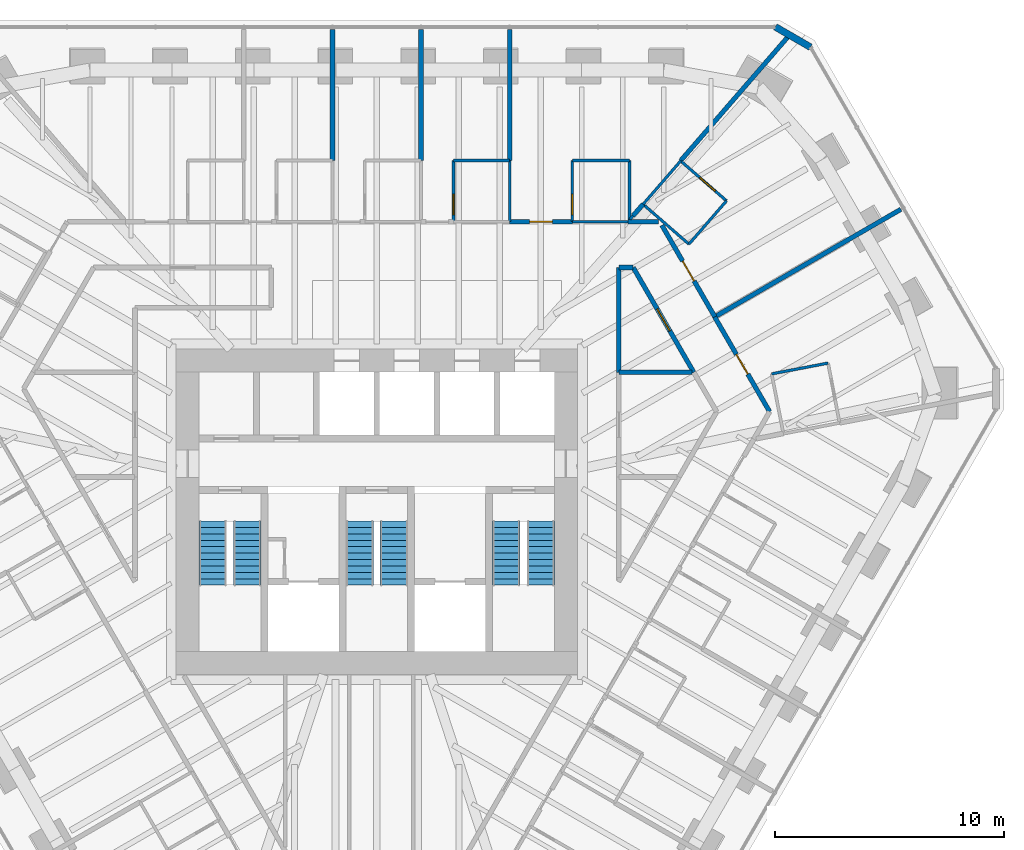
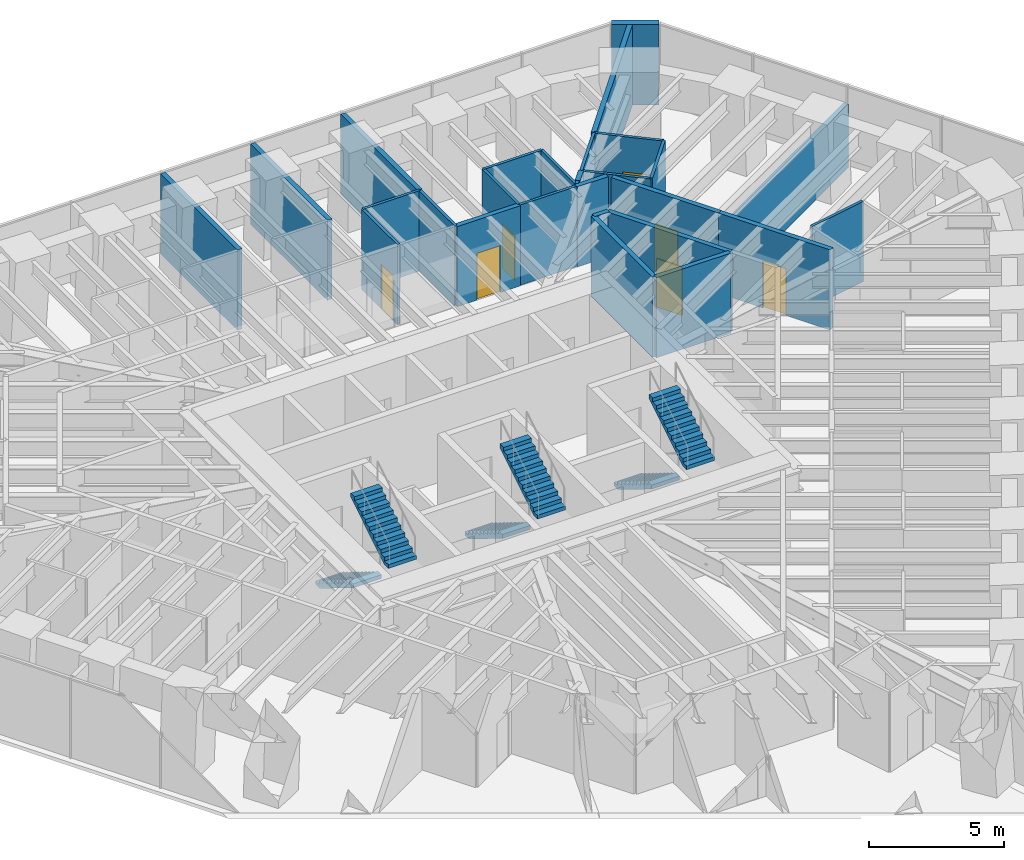
# One storey, part 16 of 17: 28 walls, 7 doors, 6 stair flights, 7 openings, 3 elements without a shape of their own.
"""IFC4 building model written with IfcOpenShell, lengths in metres."""

from ifc_helpers import new_model, si_unit, direction, frame, frame_2d, origin, place, context, subcontext, project, spatial, polyline, rectangle, outline, extrude, material, layer, layer_set, type_object, element, fill, aggregate, save


model = new_model("IFC4")

# Units and contexts
model_context = context("Model", 3, precision=1e-05, world=origin(), true_north=direction((0.0, 1.0)))
body_context = subcontext(model_context, "Body", "Model", "MODEL_VIEW")
ifc_project = project(units=[si_unit("LENGTHUNIT", "METRE"), si_unit("AREAUNIT", "SQUARE_METRE"), si_unit("VOLUMEUNIT", "CUBIC_METRE"), si_unit("PLANEANGLEUNIT", "RADIAN"), si_unit("MASSUNIT", "GRAM", prefix="KILO")], contexts=[model_context])

# Site, building, storey
site_placement = place(None, origin())
site = spatial("IfcSite", under=ifc_project, at=site_placement, CompositionType="ELEMENT")
building_placement = place(site_placement, origin())
building = spatial("IfcBuilding", under=site, at=building_placement, Name="Sandreach Pilgrim Tower", CompositionType="ELEMENT")
storey_placement = place(building_placement, frame((0.0, 0.0, 240.199951171875)))
storey = spatial("IfcBuildingStorey", under=building, at=storey_placement, Name="L60", CompositionType="ELEMENT", Elevation=240.199951171875)

# Wall, opening, door
ifc_material_1 = material(Name="Moisture-resistant gypsum board on steel studs", Category="steel")
ifc_layer_1 = layer(ifc_material_1, 0.1201171875)
ifc_layer_set_1 = layer_set([ifc_layer_1], Name="Bathroom partition 120")
wall_type_1 = type_object("IfcWallType", Name="Bathroom partition 120", PredefinedType="PARTITIONING", material=ifc_layer_set_1)
wall_1_placement = place(storey_placement, frame((3.35009765625, 15.330078125, 0.0), z_axis=(0.0, 0.0, 1.0), x_axis=(0.0, -1.0, 0.0)))
wall_1 = element("IfcWall", 1, at=wall_1_placement, inside=storey, type_object=wall_type_1, Name="Bathroom partition L60-085", PredefinedType="PARTITIONING", context=body_context, shape_type="SweptSolid", body=[
    extrude(rectangle(XDim=2.670166015625, YDim=0.1201171875, at=frame_2d((1.3349609375, 0.0))), origin(), (0.0, 0.0, 1.0), 3.64013671875),
])
opening_1_placement = place(wall_1_placement, frame((1.469970703125, 0.0, 0.0)))
opening_1 = element("IfcOpeningElement", 2, at=opening_1_placement, cuts=wall_1, Name="Opening D09-04B", PredefinedType="OPENING", context=body_context, shape_type="SweptSolid", body=[
    extrude(rectangle(XDim=0.89990234375, YDim=2.030029296875, at=frame_2d((0.449951171875, 1.01513671875))), frame((0.0, 0.06005859375, 0.0), z_axis=(0.0, -1.0, 0.0), x_axis=(1.0, 0.0, 0.0)), (0.0, 0.0, 1.0), 0.1201171875),
])
ifc_material_2 = material(Name="Timber door, steel frame", Category="steel")
door_type_1 = type_object("IfcDoorType", Name="Bathroom door", OperationType="SINGLE_SWING_LEFT", PredefinedType="DOOR", material=ifc_material_2)
door_1_placement = place(opening_1_placement, origin())
door_1 = element("IfcDoor", 3, at=door_1_placement, inside=storey, type_object=door_type_1, Name="Door 6004B", OperationType="SINGLE_SWING_RIGHT", OverallHeight=2.030029296875, OverallWidth=0.89990234375, PredefinedType="DOOR", context=body_context, shape_type="SweptSolid", body=[
    extrude(rectangle(XDim=0.89990234375, YDim=2.030029296875, at=frame_2d((0.449951171875, 1.01513671875))), frame((0.0, 0.02490234375, 0.0), z_axis=(0.0, -1.0, 0.0), x_axis=(1.0, 0.0, 0.0)), (0.0, 0.0, 1.0), 0.050048828125),
])
fill(opening_1, door_1)

# Walls
wall_2_placement = place(storey_placement, frame((5.800048828125, 15.330078125, 0.0), z_axis=(0.0, 0.0, 1.0), x_axis=(-1.0, 0.0, 0.0)))
element("IfcWall", 4, at=wall_2_placement, inside=storey, type_object=wall_type_1, Name="Bathroom partition L60-093", PredefinedType="PARTITIONING", context=body_context, shape_type="SweptSolid", body=[
    extrude(rectangle(XDim=2.449951171875, YDim=0.1201171875, at=frame_2d((1.22509765625, 0.0))), origin(), (0.0, 0.0, 1.0), 3.64013671875),
])
wall_3_placement = place(storey_placement, frame((5.800048828125, 15.330078125, 0.0), z_axis=(0.0, 0.0, 1.0), x_axis=(0.0, -1.0, 0.0)))
element("IfcWall", 5, at=wall_3_placement, inside=storey, type_object=wall_type_1, Name="Bathroom partition L60-094", PredefinedType="PARTITIONING", context=body_context, shape_type="SweptSolid", body=[
    extrude(rectangle(XDim=2.670166015625, YDim=0.1201171875, at=frame_2d((1.3349609375, 0.0))), origin(), (0.0, 0.0, 1.0), 3.64013671875),
])

# Wall, opening, door
wall_4_placement = place(storey_placement, frame((8.530029296875, 15.330078125, 0.0), z_axis=(0.0, 0.0, 1.0), x_axis=(0.0, -1.0, 0.0)))
wall_4 = element("IfcWall", 6, at=wall_4_placement, inside=storey, type_object=wall_type_1, Name="Bathroom partition L60-105", PredefinedType="PARTITIONING", context=body_context, shape_type="SweptSolid", body=[
    extrude(rectangle(XDim=2.670166015625, YDim=0.1201171875, at=frame_2d((1.3349609375, 0.0))), origin(), (0.0, 0.0, 1.0), 3.64013671875),
])
opening_2_placement = place(wall_4_placement, frame((1.469970703125, 0.0, 0.0)))
opening_2 = element("IfcOpeningElement", 7, at=opening_2_placement, cuts=wall_4, Name="Opening D09-05B", PredefinedType="OPENING", context=body_context, shape_type="SweptSolid", body=[
    extrude(rectangle(XDim=0.89990234375, YDim=2.030029296875, at=frame_2d((0.449951171875, 1.01513671875))), frame((0.0, 0.06005859375, 0.0), z_axis=(0.0, -1.0, 0.0), x_axis=(1.0, 0.0, 0.0)), (0.0, 0.0, 1.0), 0.1201171875),
])
door_2_placement = place(opening_2_placement, origin())
door_2 = element("IfcDoor", 8, at=door_2_placement, inside=storey, type_object=door_type_1, Name="Door 6005B", OperationType="SINGLE_SWING_RIGHT", OverallHeight=2.030029296875, OverallWidth=0.89990234375, PredefinedType="DOOR", context=body_context, shape_type="SweptSolid", body=[
    extrude(rectangle(XDim=0.89990234375, YDim=2.030029296875, at=frame_2d((0.449951171875, 1.01513671875))), frame((0.0, 0.02490234375, 0.0), z_axis=(0.0, -1.0, 0.0), x_axis=(1.0, 0.0, 0.0)), (0.0, 0.0, 1.0), 0.050048828125),
])
fill(opening_2, door_2)

# Walls
wall_5_placement = place(storey_placement, frame((10.9599609375, 12.659912109375, 0.0), z_axis=(0.0, 0.0, 1.0), x_axis=(-1.0, 0.0, 0.0)))
element("IfcWall", 9, at=wall_5_placement, inside=storey, type_object=wall_type_1, Name="Bathroom partition L60-117", PredefinedType="PARTITIONING", context=body_context, shape_type="SweptSolid", body=[
    extrude(rectangle(XDim=2.429931640625, YDim=0.1201171875, at=frame_2d((1.21484375, 0.0))), origin(), (0.0, 0.0, 1.0), 3.64013671875),
])
wall_6_placement = place(storey_placement, frame((11.030029296875, 12.739990234375, 0.0), z_axis=(0.0, 0.0, 1.0), x_axis=(0.0, 1.0, 0.0)))
element("IfcWall", 10, at=wall_6_placement, inside=storey, type_object=wall_type_1, Name="Bathroom partition L60-118", PredefinedType="PARTITIONING", context=body_context, shape_type="SweptSolid", body=[
    extrude(rectangle(XDim=2.590087890625, YDim=0.1201171875, at=frame_2d((1.294921875, 0.0))), origin(), (0.0, 0.0, 1.0), 3.64013671875),
])
wall_7_placement = place(storey_placement, frame((11.030029296875, 15.330078125, 0.0), z_axis=(0.0, 0.0, 1.0), x_axis=(-1.0, 0.0, 0.0)))
element("IfcWall", 11, at=wall_7_placement, inside=storey, type_object=wall_type_1, Name="Bathroom partition L60-119", PredefinedType="PARTITIONING", context=body_context, shape_type="SweptSolid", body=[
    extrude(rectangle(XDim=2.5, YDim=0.1201171875, at=frame_2d((1.25, 0.0))), origin(), (0.0, 0.0, 1.0), 3.64013671875),
])
wall_8_placement = place(storey_placement, frame((11.04931640625, 12.762939453125, 0.0), z_axis=(0.0, 0.0, 1.0), x_axis=(0.639596257895, 0.768711016499, 0.0)))
element("IfcWall", 12, at=wall_8_placement, inside=storey, type_object=wall_type_1, Name="Bathroom partition L60-120", PredefinedType="PARTITIONING", context=body_context, shape_type="SweptSolid", body=[
    extrude(rectangle(XDim=0.2041015625, YDim=0.1201171875, at=frame_2d((0.10205078125, 0.0))), origin(), (0.0, 0.0, 1.0), 3.64013671875),
])
wall_9_placement = place(storey_placement, frame((11.6201171875, 13.419921875, 0.0), z_axis=(0.0, 0.0, 1.0), x_axis=(0.655335308977, 0.755338091723, 0.0)))
element("IfcWall", 13, at=wall_9_placement, inside=storey, type_object=wall_type_1, Name="Bathroom partition L60-126", PredefinedType="PARTITIONING", context=body_context, shape_type="SweptSolid", body=[
    extrude(rectangle(XDim=2.50244140625, YDim=0.1201171875, at=frame_2d((1.251220703125, 0.0))), origin(), (0.0, 0.0, 1.0), 3.64013671875),
])
wall_10_placement = place(storey_placement, frame((11.6201171875, 13.419921875, 0.0), z_axis=(0.0, 0.0, 1.0), x_axis=(0.754444902764, -0.656363381591, 0.0)))
element("IfcWall", 14, at=wall_10_placement, inside=storey, type_object=wall_type_1, Name="Bathroom partition L60-127", PredefinedType="PARTITIONING", context=body_context, shape_type="SweptSolid", body=[
    extrude(rectangle(XDim=2.65087890625, YDim=0.1201171875, at=frame_2d((1.325439453125, 0.0))), origin(), (0.0, 0.0, 1.0), 3.64013671875),
])
wall_11_placement = place(storey_placement, frame((13.6201171875, 11.679931640625, 0.0), z_axis=(0.0, 0.0, 1.0), x_axis=(0.655335308977, 0.755338091723, 0.0)))
element("IfcWall", 15, at=wall_11_placement, inside=storey, type_object=wall_type_1, Name="Bathroom partition L60-137", PredefinedType="PARTITIONING", context=body_context, shape_type="SweptSolid", body=[
    extrude(rectangle(XDim=2.50244140625, YDim=0.1201171875, at=frame_2d((1.251220703125, 0.0))), origin(), (0.0, 0.0, 1.0), 3.64013671875),
])

# Wall, opening, door
wall_12_placement = place(storey_placement, frame((15.260009765625, 13.570068359375, 0.0), z_axis=(0.0, 0.0, 1.0), x_axis=(-0.754444902764, 0.656363381591, 0.0)))
wall_12 = element("IfcWall", 16, at=wall_12_placement, inside=storey, type_object=wall_type_1, Name="Bathroom partition L60-145", PredefinedType="PARTITIONING", context=body_context, shape_type="SweptSolid", body=[
    extrude(rectangle(XDim=2.65087890625, YDim=0.1201171875, at=frame_2d((1.325439453125, 0.0))), origin(), (0.0, 0.0, 1.0), 3.64013671875),
])
opening_3_placement = place(wall_12_placement, frame((0.64990234375, 0.0, 0.0)))
opening_3 = element("IfcOpeningElement", 17, at=opening_3_placement, cuts=wall_12, Name="Opening D09-06B", PredefinedType="OPENING", context=body_context, shape_type="SweptSolid", body=[
    extrude(rectangle(XDim=0.89990234375, YDim=2.030029296875, at=frame_2d((0.449951171875, 1.01513671875))), frame((0.0, 0.06005859375, 0.0), z_axis=(0.0, -1.0, 0.0), x_axis=(1.0, 0.0, 0.0)), (0.0, 0.0, 1.0), 0.1201171875),
])
door_3_placement = place(opening_3_placement, origin())
door_3 = element("IfcDoor", 18, at=door_3_placement, inside=storey, type_object=door_type_1, Name="Door 6006B", OperationType="SINGLE_SWING_LEFT", OverallHeight=2.030029296875, OverallWidth=0.89990234375, PredefinedType="DOOR", context=body_context, shape_type="SweptSolid", body=[
    extrude(rectangle(XDim=0.89990234375, YDim=2.030029296875, at=frame_2d((0.449951171875, 1.01513671875))), frame((0.0, 0.02490234375, 0.0), z_axis=(0.0, -1.0, 0.0), x_axis=(1.0, 0.0, 0.0)), (0.0, 0.0, 1.0), 0.050048828125),
])
fill(opening_3, door_3)

# Wall
wall_13_placement = place(storey_placement, frame((19.68994140625, 6.489990234375, 0.0), z_axis=(0.0, 0.0, 1.0), x_axis=(-0.98223517487, -0.187654100002, 0.0)))
element("IfcWall", 19, at=wall_13_placement, inside=storey, type_object=wall_type_1, Name="Bathroom partition L60-157", PredefinedType="PARTITIONING", context=body_context, shape_type="SweptSolid", body=[
    extrude(rectangle(XDim=2.50439453125, YDim=0.1201171875, at=frame_2d((1.252197265625, 0.0))), origin(), (0.0, 0.0, 1.0), 3.64013671875),
])

# Wall, opening, door
ifc_material_3 = material(Name="Gypsum board on steel studs, two layers each side", Category="steel")
ifc_layer_2 = layer(ifc_material_3, 0.199951171875)
ifc_layer_set_2 = layer_set([ifc_layer_2], Name="Corridor wall 200")
wall_type_2 = type_object("IfcWallType", Name="Corridor wall 200", PredefinedType="PARTITIONING", material=ifc_layer_set_2)
wall_14_placement = place(storey_placement, frame((8.530029296875, 12.659912109375, 0.0), z_axis=(0.0, 0.0, 1.0), x_axis=(-1.0, 0.0, 0.0)))
wall_14 = element("IfcWall", 20, at=wall_14_placement, inside=storey, type_object=wall_type_2, Name="Corridor wall L60-104", PredefinedType="PARTITIONING", context=body_context, shape_type="SweptSolid", body=[
    extrude(rectangle(XDim=2.72998046875, YDim=0.199951171875, at=frame_2d((1.364990234375, 0.0))), origin(), (0.0, 0.0, 1.0), 3.64013671875),
])
opening_4_placement = place(wall_14_placement, frame((0.864990234375, 0.0, 0.0)))
opening_4 = element("IfcOpeningElement", 21, at=opening_4_placement, cuts=wall_14, Name="Opening D10-05", PredefinedType="OPENING", context=body_context, shape_type="SweptSolid", body=[
    extrude(rectangle(XDim=1.0, YDim=2.1298828125, at=frame_2d((0.5, 1.06494140625))), frame((0.0, 0.10009765625, 0.0), z_axis=(0.0, -1.0, 0.0), x_axis=(1.0, 0.0, 0.0)), (0.0, 0.0, 1.0), 0.199951171875),
])
ifc_material_4 = material(Name="Steel door and frame", Category="steel")
door_type_2 = type_object("IfcDoorType", Name="Guest room entry door", OperationType="SINGLE_SWING_LEFT", PredefinedType="DOOR", material=ifc_material_4)
door_4_placement = place(opening_4_placement, origin())
door_4 = element("IfcDoor", 22, at=door_4_placement, inside=storey, type_object=door_type_2, Name="Door 6005", OperationType="SINGLE_SWING_LEFT", OverallHeight=2.1298828125, OverallWidth=1.0, PredefinedType="DOOR", context=body_context, shape_type="SweptSolid", body=[
    extrude(rectangle(XDim=1.0, YDim=2.1298828125, at=frame_2d((0.5, 1.06494140625))), frame((0.0, 0.02490234375, 0.0), z_axis=(0.0, -1.0, 0.0), x_axis=(1.0, 0.0, 0.0)), (0.0, 0.0, 1.0), 0.050048828125),
])
fill(opening_4, door_4)

# Walls
wall_15_placement = place(storey_placement, frame((10.550048828125, 6.090087890625, 0.0), z_axis=(0.0, 0.0, 1.0), x_axis=(0.0, 1.0, 0.0)))
element("IfcWall", 23, at=wall_15_placement, inside=storey, type_object=wall_type_2, Name="Corridor wall L60-114", PredefinedType="PARTITIONING", context=body_context, shape_type="SweptSolid", body=[
    extrude(rectangle(XDim=4.56982421875, YDim=0.199951171875, at=frame_2d((2.284912109375, 0.0))), origin(), (0.0, 0.0, 1.0), 3.64013671875),
])
wall_16_placement = place(storey_placement, frame((10.56005859375, 10.659912109375, 0.0), z_axis=(0.0, 0.0, 1.0), x_axis=(1.0, 0.0, 0.0)))
element("IfcWall", 24, at=wall_16_placement, inside=storey, type_object=wall_type_2, Name="Corridor wall L60-116", PredefinedType="PARTITIONING", context=body_context, shape_type="SweptSolid", body=[
    extrude(rectangle(XDim=0.6298828125, YDim=0.199951171875, at=frame_2d((0.31494140625, 0.0))), origin(), (0.0, 0.0, 1.0), 3.64013671875),
])

# Wall, opening, door
wall_17_placement = place(storey_placement, frame((11.18994140625, 10.659912109375, 0.0), z_axis=(0.0, 0.0, 1.0), x_axis=(0.500248310865, -0.865881993967, 0.0)))
wall_17 = element("IfcWall", 25, at=wall_17_placement, inside=storey, type_object=wall_type_2, Name="Corridor wall L60-122", PredefinedType="PARTITIONING", context=body_context, shape_type="SweptSolid", body=[
    extrude(rectangle(XDim=5.277587890625, YDim=0.199951171875, at=frame_2d((2.638671875, 0.0))), origin(), (0.0, 0.0, 1.0), 3.64013671875),
])
opening_5_placement = place(wall_17_placement, frame((2.0888671875, 0.0, 0.0)))
opening_5 = element("IfcOpeningElement", 26, at=opening_5_placement, cuts=wall_17, Name="Opening D11H-M05", PredefinedType="OPENING", context=body_context, shape_type="SweptSolid", body=[
    extrude(rectangle(XDim=1.10009765625, YDim=2.199951171875, at=frame_2d((0.550048828125, 1.10009765625))), frame((0.0, 0.10009765625, 0.0), z_axis=(0.0, -1.0, 0.0), x_axis=(1.0, 0.0, 0.0)), (0.0, 0.0, 1.0), 0.199951171875),
])
ifc_material_5 = material(Name="Steel door and frame", Category="steel")
door_type_3 = type_object("IfcDoorType", Name="Back of house door", OperationType="SINGLE_SWING_LEFT", PredefinedType="DOOR", material=ifc_material_5)
door_5_placement = place(opening_5_placement, origin())
door_5 = element("IfcDoor", 27, at=door_5_placement, inside=storey, type_object=door_type_3, Name="Door 60M05", OperationType="SINGLE_SWING_LEFT", OverallHeight=2.199951171875, OverallWidth=1.10009765625, PredefinedType="DOOR", context=body_context, shape_type="SweptSolid", body=[
    extrude(rectangle(XDim=1.10009765625, YDim=2.199951171875, at=frame_2d((0.550048828125, 1.10009765625))), frame((0.0, 0.02490234375, 0.0), z_axis=(0.0, -1.0, 0.0), x_axis=(1.0, 0.0, 0.0)), (0.0, 0.0, 1.0), 0.050048828125),
])
fill(opening_5, door_5)

# Wall
wall_18_placement = place(storey_placement, frame((12.2900390625, 12.659912109375, 0.0), z_axis=(0.0, 0.0, 1.0), x_axis=(-1.0, 0.0, 0.0)))
element("IfcWall", 28, at=wall_18_placement, inside=storey, type_object=wall_type_2, Name="Corridor wall L60-132", PredefinedType="PARTITIONING", context=body_context, shape_type="SweptSolid", body=[
    extrude(rectangle(XDim=1.330078125, YDim=0.199951171875, at=frame_2d((0.6650390625, 0.0))), origin(), (0.0, 0.0, 1.0), 3.64013671875),
])

# Wall, opening, door
wall_19_placement = place(storey_placement, frame((12.440185546875, 12.504150390625, 0.0), z_axis=(0.0, 0.0, 1.0), x_axis=(0.500616963614, -0.865668906535, 0.0)))
wall_19 = element("IfcWall", 29, at=wall_19_placement, inside=storey, type_object=wall_type_2, Name="Corridor wall L60-133", PredefinedType="PARTITIONING", context=body_context, shape_type="SweptSolid", body=[
    extrude(rectangle(XDim=4.614013671875, YDim=0.199951171875, at=frame_2d((2.30712890625, 0.0))), origin(), (0.0, 0.0, 1.0), 3.64013671875),
])
opening_6_placement = place(wall_19_placement, frame((1.806884765625, 0.0, 0.0)))
opening_6 = element("IfcOpeningElement", 30, at=opening_6_placement, cuts=wall_19, Name="Opening D10-06", PredefinedType="OPENING", context=body_context, shape_type="SweptSolid", body=[
    extrude(rectangle(XDim=1.0, YDim=2.1298828125, at=frame_2d((0.5, 1.06494140625))), frame((0.0, 0.10009765625, 0.0), z_axis=(0.0, -1.0, 0.0), x_axis=(1.0, 0.0, 0.0)), (0.0, 0.0, 1.0), 0.199951171875),
])
door_6_placement = place(opening_6_placement, origin())
door_6 = element("IfcDoor", 31, at=door_6_placement, inside=storey, type_object=door_type_2, Name="Door 6006", OperationType="SINGLE_SWING_LEFT", OverallHeight=2.1298828125, OverallWidth=1.0, PredefinedType="DOOR", context=body_context, shape_type="SweptSolid", body=[
    extrude(rectangle(XDim=1.0, YDim=2.1298828125, at=frame_2d((0.5, 1.06494140625))), frame((0.0, 0.02490234375, 0.0), z_axis=(0.0, -1.0, 0.0), x_axis=(1.0, 0.0, 0.0)), (0.0, 0.0, 1.0), 0.050048828125),
])
fill(opening_6, door_6)

wall_20_placement = place(storey_placement, frame((17.139892578125, 4.3701171875, 0.0), z_axis=(0.0, 0.0, 1.0), x_axis=(-0.501524901322, 0.865143209737, 0.0)))
wall_20 = element("IfcWall", 32, at=wall_20_placement, inside=storey, type_object=wall_type_2, Name="Corridor wall L60-152", PredefinedType="PARTITIONING", context=body_context, shape_type="SweptSolid", body=[
    extrude(rectangle(XDim=4.78515625, YDim=0.199951171875, at=frame_2d((2.392578125, 0.0))), origin(), (0.0, 0.0, 1.0), 3.64013671875),
])
opening_7_placement = place(wall_20_placement, frame((1.892578125, 0.0, 0.0)))
opening_7 = element("IfcOpeningElement", 33, at=opening_7_placement, cuts=wall_20, Name="Opening D10-07", PredefinedType="OPENING", context=body_context, shape_type="SweptSolid", body=[
    extrude(rectangle(XDim=1.0, YDim=2.1298828125, at=frame_2d((0.5, 1.06494140625))), frame((0.0, 0.10009765625, 0.0), z_axis=(0.0, -1.0, 0.0), x_axis=(1.0, 0.0, 0.0)), (0.0, 0.0, 1.0), 0.199951171875),
])
door_7_placement = place(opening_7_placement, origin())
door_7 = element("IfcDoor", 34, at=door_7_placement, inside=storey, type_object=door_type_2, Name="Door 6007", OperationType="SINGLE_SWING_LEFT", OverallHeight=2.1298828125, OverallWidth=1.0, PredefinedType="DOOR", context=body_context, shape_type="SweptSolid", body=[
    extrude(rectangle(XDim=1.0, YDim=2.1298828125, at=frame_2d((0.5, 1.06494140625))), frame((0.0, 0.02490234375, 0.0), z_axis=(0.0, -1.0, 0.0), x_axis=(1.0, 0.0, 0.0)), (0.0, 0.0, 1.0), 0.050048828125),
])
fill(opening_7, door_7)

# Walls
ifc_material_6 = material(Name="Double steel stud acoustic wall, gypsum board", Category="steel")
ifc_layer_3 = layer(ifc_material_6, 0.199951171875)
ifc_layer_set_3 = layer_set([ifc_layer_3], Name="Party wall 200")
wall_type_3 = type_object("IfcWallType", Name="Party wall 200", PredefinedType="PARTITIONING", material=ifc_layer_set_3)
for number, where, z_axis, x_axis, name in (
    (35, (-1.929931640625, 21.0400390625, 0.0), (0.0, 0.0, 1.0), (0.0, -1.0, 0.0), "Party wall L60-067"),
    (36, (1.929931640625, 21.0400390625, 0.0), (0.0, 0.0, 1.0), (0.0, -1.0, 0.0), "Party wall L60-082"),
    (37, (5.800048828125, 21.0400390625, 0.0), (0.0, 0.0, 1.0), (0.0, -1.0, 0.0), "Party wall L60-095"),
):
    element("IfcWall", number, at=place(storey_placement, frame(where, z_axis=z_axis, x_axis=x_axis)), inside=storey, type_object=wall_type_3, Name=name, PredefinedType="PARTITIONING", context=body_context, shape_type="SweptSolid", body=[
        extrude(rectangle(XDim=5.7099609375, YDim=0.199951171875, at=frame_2d((2.85498046875, 0.0))), origin(), (0.0, 0.0, 1.0), 3.64013671875),
    ])
wall_21_placement = place(storey_placement, frame((11.179931640625, 12.919921875, 0.0), z_axis=(0.0, 0.0, 1.0), x_axis=(0.660578310858, 0.750757147967, 0.0)))
element("IfcWall", 38, at=wall_21_placement, inside=storey, type_object=wall_type_3, Name="Party wall L60-121", PredefinedType="PARTITIONING", context=body_context, shape_type="SweptSolid", body=[
    extrude(rectangle(XDim=0.666015625, YDim=0.199951171875, at=frame_2d((0.3330078125, 0.0))), origin(), (0.0, 0.0, 1.0), 3.64013671875),
])
wall_22_placement = place(storey_placement, frame((13.7548828125, 6.090087890625, 0.0), z_axis=(0.0, 0.0, 1.0), x_axis=(-1.0, 0.0, 0.0)))
element("IfcWall", 39, at=wall_22_placement, inside=storey, type_object=wall_type_3, Name="Party wall L60-138", PredefinedType="PARTITIONING", context=body_context, shape_type="SweptSolid", body=[
    extrude(rectangle(XDim=3.19482421875, YDim=0.199951171875, at=frame_2d((1.597412109375, 0.0))), origin(), (0.0, 0.0, 1.0), 3.64013671875),
])
wall_23_placement = place(storey_placement, frame((18.020263671875, 20.8173828125, 0.0), z_axis=(0.0, 0.0, 1.0), x_axis=(-0.654701954033, -0.755887128733, 0.0)))
element("IfcWall", 40, at=wall_23_placement, inside=storey, type_object=wall_type_3, Name="Party wall L60-156", PredefinedType="PARTITIONING", context=body_context, shape_type="SweptSolid", body=[
    extrude(rectangle(XDim=7.279541015625, YDim=0.199951171875, at=frame_2d((3.6396484375, 0.0))), origin(), (0.0, 0.0, 1.0), 3.64013671875),
])
wall_24_placement = place(storey_placement, frame((22.8662109375, 13.199951171875, 0.0), z_axis=(0.0, 0.0, 1.0), x_axis=(-0.865840726882, -0.500319733442, 0.0)))
element("IfcWall", 41, at=wall_24_placement, inside=storey, type_object=wall_type_3, Name="Party wall L60-160", PredefinedType="PARTITIONING", context=body_context, shape_type="SweptSolid", body=[
    extrude(rectangle(XDim=9.363525390625, YDim=0.199951171875, at=frame_2d((4.681640625, 0.0))), origin(), (0.0, 0.0, 1.0), 2.8779296875),
])
ifc_material_7 = material(Name="Terracotta rainscreen on concrete", Category="masonry")
ifc_layer_4 = layer(ifc_material_7, 0.300048828125)
ifc_layer_set_4 = layer_set([ifc_layer_4], Name="Terracotta chamfer pier")
wall_type_4 = type_object("IfcWallType", Name="Terracotta chamfer pier", PredefinedType="SOLIDWALL", material=ifc_layer_set_4)
wall_25_placement = place(storey_placement, frame((17.389892578125, 21.16015625, 0.0), z_axis=(0.0, 0.0, 1.0), x_axis=(0.866036293601, -0.499981137809, 0.0)))
element("IfcWall", 42, at=wall_25_placement, inside=storey, type_object=wall_type_4, Name="Chamfer pier L60 N", PredefinedType="SOLIDWALL", context=body_context, shape_type="SweptSolid", body=[
    extrude(rectangle(XDim=1.77001953125, YDim=0.300048828125, at=frame_2d((0.885009765625, 0.0))), origin(), (0.0, 0.0, 1.0), 3.64013671875),
])

# Stair, stair flights
ifc_material_8 = material(Name="Concrete 8000 psi", Category="concrete")
stair_type = type_object("IfcStairType", Name="Core exit stair", PredefinedType="HALF_TURN_STAIR", material=ifc_material_8)
stair_1_placement = place(storey_placement, origin())
stair_1 = element("IfcStair", 43, at=stair_1_placement, inside=storey, type_object=stair_type, Name="Exit stair ST1 L60", PredefinedType="HALF_TURN_STAIR")
ifc_material_9 = material(Name="Concrete 8000 psi", Category="concrete")
stair_flight_type = type_object("IfcStairFlightType", Name="Core stair flight 1200", PredefinedType="STRAIGHT", material=ifc_material_9)
stair_flight_1_placement = place(storey_placement, frame((-7.14990234375, -0.39990234375, 0.0), z_axis=(0.0, 0.0, 1.0), x_axis=(0.0, -1.0, 0.0)))
stair_flight_1 = element("IfcStairFlight", 44, at=stair_flight_1_placement, type_object=stair_flight_type, Name="ST1 flight 1", NumberOfRisers=11, NumberOfTreads=10, PredefinedType="STRAIGHT", RiserHeight=0.172727273, TreadLength=0.28, context=body_context, shape_type="SweptSolid", body=[
    extrude(outline(polyline([(0.0, 0.0), (0.0, 0.172607421875), (0.280029296875, 0.172607421875), (0.280029296875, 0.345458984375), (0.56005859375, 0.345458984375), (0.56005859375, 0.51806640625), (0.840087890625, 0.51806640625), (0.840087890625, 0.69091796875), (1.1201171875, 0.69091796875), (1.1201171875, 0.863525390625), (1.39990234375, 0.863525390625), (1.39990234375, 1.036376953125), (1.679931640625, 1.036376953125), (1.679931640625, 1.208984375), (1.9599609375, 1.208984375), (1.9599609375, 1.3818359375), (2.239990234375, 1.3818359375), (2.239990234375, 1.554443359375), (2.52001953125, 1.554443359375), (2.52001953125, 1.727294921875), (2.800048828125, 1.727294921875), (2.800048828125, 1.89990234375), (2.800048828125, 1.551025390625), (0.285400390625, 0.0), (0.0, 0.0)])), frame((0.0, 0.60009765625, 0.0), z_axis=(0.0, -1.0, 0.0), x_axis=(1.0, 0.0, 0.0)), (0.0, 0.0, 1.0), 1.199951171875),
])
stair_flight_2_placement = place(storey_placement, frame((-5.64990234375, -3.199951171875, 1.900146484375), z_axis=(0.0, 0.0, 1.0), x_axis=(0.0, 1.0, 0.0)))
stair_flight_2 = element("IfcStairFlight", 45, at=stair_flight_2_placement, type_object=stair_flight_type, Name="ST1 flight 2", NumberOfRisers=11, NumberOfTreads=10, PredefinedType="STRAIGHT", RiserHeight=0.172727273, TreadLength=0.28, context=body_context, shape_type="SweptSolid", body=[
    extrude(outline(polyline([(0.0, 0.0), (0.0, 0.172607421875), (0.280029296875, 0.172607421875), (0.280029296875, 0.345458984375), (0.56005859375, 0.345458984375), (0.56005859375, 0.51806640625), (0.840087890625, 0.51806640625), (0.840087890625, 0.69091796875), (1.1201171875, 0.69091796875), (1.1201171875, 0.863525390625), (1.39990234375, 0.863525390625), (1.39990234375, 1.036376953125), (1.679931640625, 1.036376953125), (1.679931640625, 1.208984375), (1.9599609375, 1.208984375), (1.9599609375, 1.3818359375), (2.239990234375, 1.3818359375), (2.239990234375, 1.554443359375), (2.52001953125, 1.554443359375), (2.52001953125, 1.727294921875), (2.800048828125, 1.727294921875), (2.800048828125, 1.89990234375), (2.800048828125, 1.551025390625), (0.285400390625, 0.0), (0.0, 0.0)])), frame((0.0, 0.60009765625, 0.0), z_axis=(0.0, -1.0, 0.0), x_axis=(1.0, 0.0, 0.0)), (0.0, 0.0, 1.0), 1.199951171875),
])
aggregate(stair_1, [stair_flight_1, stair_flight_2])

stair_2_placement = place(storey_placement, origin())
stair_2 = element("IfcStair", 46, at=stair_2_placement, inside=storey, type_object=stair_type, Name="Exit stair ST3 L60", PredefinedType="HALF_TURN_STAIR")
stair_flight_3_placement = place(storey_placement, frame((-0.75, -0.39990234375, 0.0), z_axis=(0.0, 0.0, 1.0), x_axis=(0.0, -1.0, 0.0)))
stair_flight_3 = element("IfcStairFlight", 47, at=stair_flight_3_placement, type_object=stair_flight_type, Name="ST3 flight 1", NumberOfRisers=11, NumberOfTreads=10, PredefinedType="STRAIGHT", RiserHeight=0.172727273, TreadLength=0.28, context=body_context, shape_type="SweptSolid", body=[
    extrude(outline(polyline([(0.0, 0.0), (0.0, 0.172607421875), (0.280029296875, 0.172607421875), (0.280029296875, 0.345458984375), (0.56005859375, 0.345458984375), (0.56005859375, 0.51806640625), (0.840087890625, 0.51806640625), (0.840087890625, 0.69091796875), (1.1201171875, 0.69091796875), (1.1201171875, 0.863525390625), (1.39990234375, 0.863525390625), (1.39990234375, 1.036376953125), (1.679931640625, 1.036376953125), (1.679931640625, 1.208984375), (1.9599609375, 1.208984375), (1.9599609375, 1.3818359375), (2.239990234375, 1.3818359375), (2.239990234375, 1.554443359375), (2.52001953125, 1.554443359375), (2.52001953125, 1.727294921875), (2.800048828125, 1.727294921875), (2.800048828125, 1.89990234375), (2.800048828125, 1.551025390625), (0.285400390625, 0.0), (0.0, 0.0)])), frame((0.0, 0.60009765625, 0.0), z_axis=(0.0, -1.0, 0.0), x_axis=(1.0, 0.0, 0.0)), (0.0, 0.0, 1.0), 1.199951171875),
])
stair_flight_4_placement = place(storey_placement, frame((0.75, -3.199951171875, 1.900146484375), z_axis=(0.0, 0.0, 1.0), x_axis=(0.0, 1.0, 0.0)))
stair_flight_4 = element("IfcStairFlight", 48, at=stair_flight_4_placement, type_object=stair_flight_type, Name="ST3 flight 2", NumberOfRisers=11, NumberOfTreads=10, PredefinedType="STRAIGHT", RiserHeight=0.172727273, TreadLength=0.28, context=body_context, shape_type="SweptSolid", body=[
    extrude(outline(polyline([(0.0, 0.0), (0.0, 0.172607421875), (0.280029296875, 0.172607421875), (0.280029296875, 0.345458984375), (0.56005859375, 0.345458984375), (0.56005859375, 0.51806640625), (0.840087890625, 0.51806640625), (0.840087890625, 0.69091796875), (1.1201171875, 0.69091796875), (1.1201171875, 0.863525390625), (1.39990234375, 0.863525390625), (1.39990234375, 1.036376953125), (1.679931640625, 1.036376953125), (1.679931640625, 1.208984375), (1.9599609375, 1.208984375), (1.9599609375, 1.3818359375), (2.239990234375, 1.3818359375), (2.239990234375, 1.554443359375), (2.52001953125, 1.554443359375), (2.52001953125, 1.727294921875), (2.800048828125, 1.727294921875), (2.800048828125, 1.89990234375), (2.800048828125, 1.551025390625), (0.285400390625, 0.0), (0.0, 0.0)])), frame((0.0, 0.60009765625, 0.0), z_axis=(0.0, -1.0, 0.0), x_axis=(1.0, 0.0, 0.0)), (0.0, 0.0, 1.0), 1.199951171875),
])
aggregate(stair_2, [stair_flight_3, stair_flight_4])

stair_3_placement = place(storey_placement, origin())
stair_3 = element("IfcStair", 49, at=stair_3_placement, inside=storey, type_object=stair_type, Name="Exit stair ST2 L60", PredefinedType="HALF_TURN_STAIR")
stair_flight_5_placement = place(storey_placement, frame((5.64990234375, -0.39990234375, 0.0), z_axis=(0.0, 0.0, 1.0), x_axis=(0.0, -1.0, 0.0)))
stair_flight_5 = element("IfcStairFlight", 50, at=stair_flight_5_placement, type_object=stair_flight_type, Name="ST2 flight 1", NumberOfRisers=11, NumberOfTreads=10, PredefinedType="STRAIGHT", RiserHeight=0.172727273, TreadLength=0.28, context=body_context, shape_type="SweptSolid", body=[
    extrude(outline(polyline([(0.0, 0.0), (0.0, 0.172607421875), (0.280029296875, 0.172607421875), (0.280029296875, 0.345458984375), (0.56005859375, 0.345458984375), (0.56005859375, 0.51806640625), (0.840087890625, 0.51806640625), (0.840087890625, 0.69091796875), (1.1201171875, 0.69091796875), (1.1201171875, 0.863525390625), (1.39990234375, 0.863525390625), (1.39990234375, 1.036376953125), (1.679931640625, 1.036376953125), (1.679931640625, 1.208984375), (1.9599609375, 1.208984375), (1.9599609375, 1.3818359375), (2.239990234375, 1.3818359375), (2.239990234375, 1.554443359375), (2.52001953125, 1.554443359375), (2.52001953125, 1.727294921875), (2.800048828125, 1.727294921875), (2.800048828125, 1.89990234375), (2.800048828125, 1.551025390625), (0.285400390625, 0.0), (0.0, 0.0)])), frame((0.0, 0.60009765625, 0.0), z_axis=(0.0, -1.0, 0.0), x_axis=(1.0, 0.0, 0.0)), (0.0, 0.0, 1.0), 1.199951171875),
])
stair_flight_6_placement = place(storey_placement, frame((7.14990234375, -3.199951171875, 1.900146484375), z_axis=(0.0, 0.0, 1.0), x_axis=(0.0, 1.0, 0.0)))
stair_flight_6 = element("IfcStairFlight", 51, at=stair_flight_6_placement, type_object=stair_flight_type, Name="ST2 flight 2", NumberOfRisers=11, NumberOfTreads=10, PredefinedType="STRAIGHT", RiserHeight=0.172727273, TreadLength=0.28, context=body_context, shape_type="SweptSolid", body=[
    extrude(outline(polyline([(0.0, 0.0), (0.0, 0.172607421875), (0.280029296875, 0.172607421875), (0.280029296875, 0.345458984375), (0.56005859375, 0.345458984375), (0.56005859375, 0.51806640625), (0.840087890625, 0.51806640625), (0.840087890625, 0.69091796875), (1.1201171875, 0.69091796875), (1.1201171875, 0.863525390625), (1.39990234375, 0.863525390625), (1.39990234375, 1.036376953125), (1.679931640625, 1.036376953125), (1.679931640625, 1.208984375), (1.9599609375, 1.208984375), (1.9599609375, 1.3818359375), (2.239990234375, 1.3818359375), (2.239990234375, 1.554443359375), (2.52001953125, 1.554443359375), (2.52001953125, 1.727294921875), (2.800048828125, 1.727294921875), (2.800048828125, 1.89990234375), (2.800048828125, 1.551025390625), (0.285400390625, 0.0), (0.0, 0.0)])), frame((0.0, 0.60009765625, 0.0), z_axis=(0.0, -1.0, 0.0), x_axis=(1.0, 0.0, 0.0)), (0.0, 0.0, 1.0), 1.199951171875),
])
aggregate(stair_3, [stair_flight_5, stair_flight_6])

save(model, "model.ifc")
